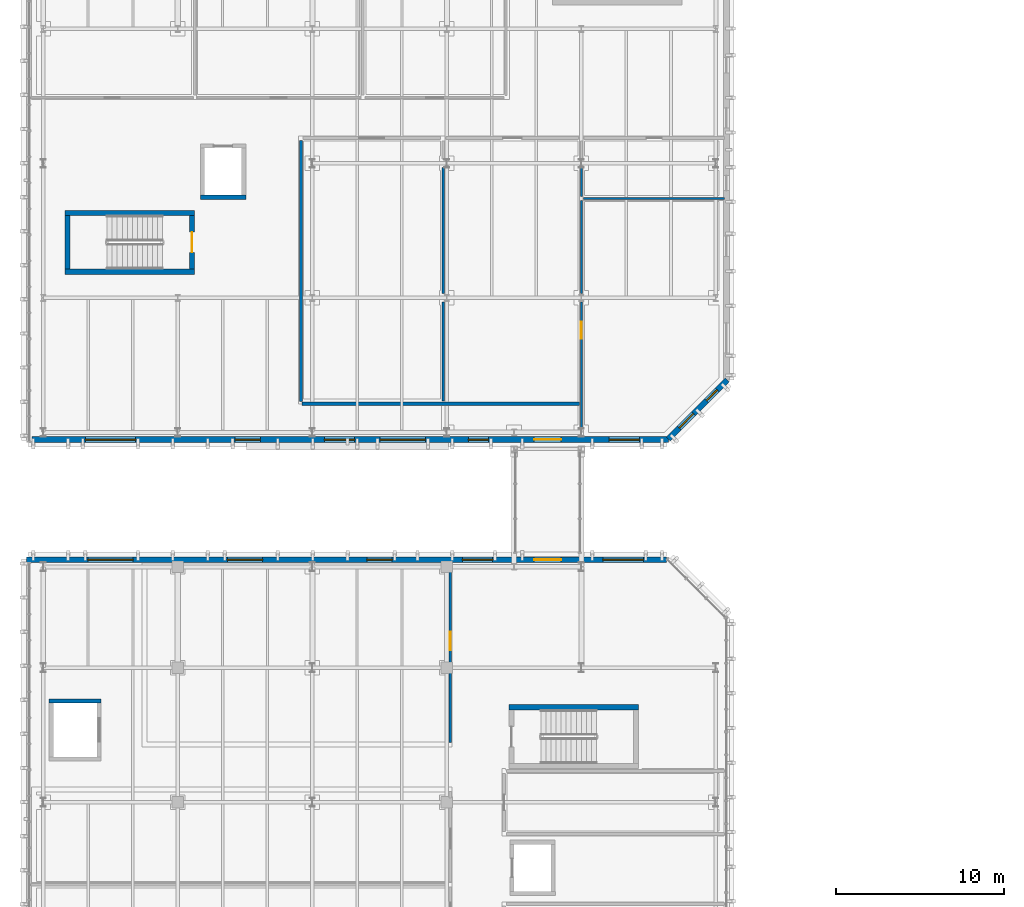
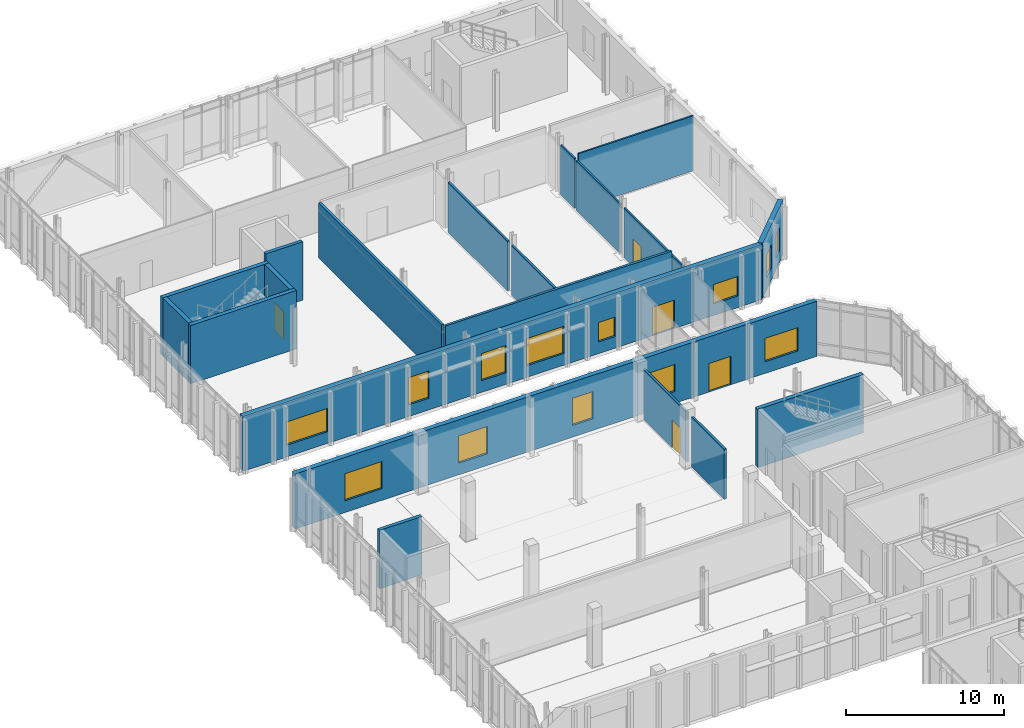
# One storey, part 70 of 100: 20 walls, 13 windows, 5 doors, 18 openings.
"""IFC4 building model written with IfcOpenShell, lengths in metres."""

from ifc_helpers import new_model, si_unit, direction, frame, frame_2d, origin, place, context, subcontext, project, spatial, rectangle, extrude, material, layer, layer_set, type_object, element, fill, save


model = new_model("IFC4")

# Units and contexts
model_context = context("Model", 3, precision=1e-05, world=origin(), true_north=direction((0.0, 1.0)))
body_context = subcontext(model_context, "Body", "Model", "MODEL_VIEW")
ifc_project = project(units=[si_unit("LENGTHUNIT", "METRE"), si_unit("AREAUNIT", "SQUARE_METRE"), si_unit("VOLUMEUNIT", "CUBIC_METRE"), si_unit("PLANEANGLEUNIT", "RADIAN"), si_unit("MASSUNIT", "GRAM", prefix="KILO")], contexts=[model_context])

# Site, building, storey
site_placement = place(None, origin())
site = spatial("IfcSite", under=ifc_project, at=site_placement, CompositionType="ELEMENT")
building_placement = place(site_placement, origin())
building = spatial("IfcBuilding", under=site, at=building_placement, Name="Cymarion Research Institute", CompositionType="ELEMENT")
storey_placement = place(building_placement, frame((0.0, 0.0, 4.800048828125)))
storey = spatial("IfcBuildingStorey", under=building, at=storey_placement, Name="L01", CompositionType="ELEMENT", Elevation=4.800048828125)

# Wall, openings, door, windows
ifc_material_1 = material(Name="Precast concrete C40/50", Category="concrete")
ifc_layer_1 = layer(ifc_material_1, 0.340087890625)
ifc_layer_set_1 = layer_set([ifc_layer_1], Name="Precast concrete C40/50")
wall_type_1 = type_object("IfcWallType", Name="EXTERIOR WALL EW-PC340 340MM", PredefinedType="SOLIDWALL", material=ifc_layer_set_1)
wall_1_placement = place(storey_placement, frame((43.67724609375, 77.929931640625, 0.0), z_axis=(0.0, 0.0, 1.0), x_axis=(-1.0, 0.0, 0.0)))
wall_1 = element("IfcWall", 1, at=wall_1_placement, inside=storey, type_object=wall_type_1, Name="L01 V4 exterior wall EW-PC340 #112", PredefinedType="SOLIDWALL", context=body_context, shape_type="SweptSolid", body=[
    extrude(rectangle(XDim=38.0771484375, YDim=0.340087890625, at=frame_2d((19.03857421875, 0.0))), origin(), (0.0, 0.0, 1.0), 4.25),
])
opening_1_placement = place(wall_1_placement, frame((6.277099609375, 0.0, 0.0)))
opening_1 = element("IfcOpeningElement", 2, at=opening_1_placement, cuts=wall_1, Name="Opening D-SP2-L01-S", PredefinedType="OPENING", context=body_context, shape_type="SweptSolid", body=[
    extrude(rectangle(XDim=1.60009765625, YDim=2.199951171875, at=frame_2d((0.800048828125, 1.10009765625))), frame((0.0, 0.179931640625, 0.0), z_axis=(0.0, -1.0, 0.0), x_axis=(1.0, 0.0, 0.0)), (0.0, 0.0, 1.0), 0.360107421875),
])
opening_2_placement = place(wall_1_placement, frame((1.388916015625, 0.0, 0.89990234375)))
opening_2 = element("IfcOpeningElement", 3, at=opening_2_placement, cuts=wall_1, Name="Opening W05", PredefinedType="OPENING", context=body_context, shape_type="SweptSolid", body=[
    extrude(rectangle(XDim=2.39990234375, YDim=1.800048828125, at=frame_2d((1.199951171875, 0.89990234375))), frame((0.0, 0.179931640625, 0.0), z_axis=(0.0, -1.0, 0.0), x_axis=(1.0, 0.0, 0.0)), (0.0, 0.0, 1.0), 0.360107421875),
])
opening_3_placement = place(wall_1_placement, frame((10.35693359375, 0.0, 0.89990234375)))
opening_3 = element("IfcOpeningElement", 4, at=opening_3_placement, cuts=wall_1, Name="Opening W10", PredefinedType="OPENING", context=body_context, shape_type="SweptSolid", body=[
    extrude(rectangle(XDim=1.800048828125, YDim=2.10009765625, at=frame_2d((0.89990234375, 1.050048828125))), frame((0.0, 0.179931640625, 0.0), z_axis=(0.0, -1.0, 0.0), x_axis=(1.0, 0.0, 0.0)), (0.0, 0.0, 1.0), 0.360107421875),
])
opening_4_placement = place(wall_1_placement, frame((16.326904296875, 0.0, 0.89990234375)))
opening_4 = element("IfcOpeningElement", 5, at=opening_4_placement, cuts=wall_1, Name="Opening W09", PredefinedType="OPENING", context=body_context, shape_type="SweptSolid", body=[
    extrude(rectangle(XDim=1.5, YDim=2.10009765625, at=frame_2d((0.75, 1.050048828125))), frame((0.0, 0.179931640625, 0.0), z_axis=(0.0, -1.0, 0.0), x_axis=(1.0, 0.0, 0.0)), (0.0, 0.0, 1.0), 0.360107421875),
])
opening_5_placement = place(wall_1_placement, frame((24.027099609375, 0.0, 0.89990234375)))
opening_5 = element("IfcOpeningElement", 6, at=opening_5_placement, cuts=wall_1, Name="Opening W11", PredefinedType="OPENING", context=body_context, shape_type="SweptSolid", body=[
    extrude(rectangle(XDim=2.10009765625, YDim=2.10009765625, at=frame_2d((1.050048828125, 1.050048828125))), frame((0.0, 0.179931640625, 0.0), z_axis=(0.0, -1.0, 0.0), x_axis=(1.0, 0.0, 0.0)), (0.0, 0.0, 1.0), 0.360107421875),
])
opening_6_placement = place(wall_1_placement, frame((31.72705078125, 0.0, 0.89990234375)))
opening_6 = element("IfcOpeningElement", 7, at=opening_6_placement, cuts=wall_1, Name="Opening W13", PredefinedType="OPENING", context=body_context, shape_type="SweptSolid", body=[
    extrude(rectangle(XDim=2.699951171875, YDim=2.10009765625, at=frame_2d((1.35009765625, 1.050048828125))), frame((0.0, 0.179931640625, 0.0), z_axis=(0.0, -1.0, 0.0), x_axis=(1.0, 0.0, 0.0)), (0.0, 0.0, 1.0), 0.360107421875),
])
ifc_material_2 = material(Name="Thermally broken anodised aluminium glazed door", Category="aluminium")
door_type_1 = type_object("IfcDoorType", Name="GLAZED ALUMINIUM TERRACE ACCESS DOOR DT-TR160 1600X2200", OperationType="NOTDEFINED", PredefinedType="DOOR", material=ifc_material_2)
door_1_placement = place(opening_1_placement, frame((1.60009765625, 0.0, 0.0), z_axis=(0.0, 0.0, 1.0), x_axis=(-1.0, 0.0, 0.0)))
door_1 = element("IfcDoor", 8, at=door_1_placement, inside=storey, type_object=door_type_1, Name="L01 V4 Sky-Passage Portal Door D-SP2-L01-S", OperationType="SINGLE_SWING_RIGHT", OverallHeight=2.199951171875, OverallWidth=1.60009765625, PredefinedType="DOOR", context=body_context, shape_type="SweptSolid", body=[
    extrude(rectangle(XDim=1.60009765625, YDim=2.199951171875, at=frame_2d((0.800048828125, 1.10009765625))), frame((0.0, 0.02490234375, 0.0), z_axis=(0.0, -1.0, 0.0), x_axis=(1.0, 0.0, 0.0)), (0.0, 0.0, 1.0), 0.050048828125),
])
fill(opening_1, door_1)
ifc_material_3 = material(Name="Thermally broken aluminium window with Low-E glazing", Category="aluminium")
window_type_1 = type_object("IfcWindowType", Name="THERMALLY BROKEN ALUMINIUM WINDOW W05 2400X1800", PartitioningType="TRIPLE_PANEL_VERTICAL", PredefinedType="WINDOW", material=ifc_material_3)
window_1_placement = place(opening_2_placement, origin())
window_1 = element("IfcWindow", 9, at=window_1_placement, inside=storey, type_object=window_type_1, Name="L01 V4 facade window W05 #204", OverallHeight=1.800048828125, OverallWidth=2.39990234375, PartitioningType="SINGLE_PANEL", PredefinedType="WINDOW", context=body_context, shape_type="SweptSolid", body=[
    extrude(rectangle(XDim=2.39990234375, YDim=1.800048828125, at=frame_2d((1.199951171875, 0.89990234375))), frame((0.0, 0.030029296875, 0.0), z_axis=(0.0, -1.0, 0.0), x_axis=(1.0, 0.0, 0.0)), (0.0, 0.0, 1.0), 0.06005859375),
])
fill(opening_2, window_1)
window_type_2 = type_object("IfcWindowType", Name="THERMALLY BROKEN ALUMINIUM WINDOW W09 1500X2100", PartitioningType="DOUBLE_PANEL_VERTICAL", PredefinedType="WINDOW", material=ifc_material_3)
window_2_placement = place(opening_4_placement, origin())
window_2 = element("IfcWindow", 10, at=window_2_placement, inside=storey, type_object=window_type_2, Name="L01 V4 facade window W09 #206", OverallHeight=2.10009765625, OverallWidth=1.5, PartitioningType="SINGLE_PANEL", PredefinedType="WINDOW", context=body_context, shape_type="SweptSolid", body=[
    extrude(rectangle(XDim=1.5, YDim=2.10009765625, at=frame_2d((0.75, 1.050048828125))), frame((0.0, 0.030029296875, 0.0), z_axis=(0.0, -1.0, 0.0), x_axis=(1.0, 0.0, 0.0)), (0.0, 0.0, 1.0), 0.06005859375),
])
fill(opening_4, window_2)
window_type_3 = type_object("IfcWindowType", Name="THERMALLY BROKEN ALUMINIUM WINDOW W10 1800X2100", PartitioningType="DOUBLE_PANEL_VERTICAL", PredefinedType="WINDOW", material=ifc_material_3)
window_3_placement = place(opening_3_placement, origin())
window_3 = element("IfcWindow", 11, at=window_3_placement, inside=storey, type_object=window_type_3, Name="L01 V4 facade window W10 #205", OverallHeight=2.10009765625, OverallWidth=1.800048828125, PartitioningType="SINGLE_PANEL", PredefinedType="WINDOW", context=body_context, shape_type="SweptSolid", body=[
    extrude(rectangle(XDim=1.800048828125, YDim=2.10009765625, at=frame_2d((0.89990234375, 1.050048828125))), frame((0.0, 0.030029296875, 0.0), z_axis=(0.0, -1.0, 0.0), x_axis=(1.0, 0.0, 0.0)), (0.0, 0.0, 1.0), 0.06005859375),
])
fill(opening_3, window_3)
window_type_4 = type_object("IfcWindowType", Name="THERMALLY BROKEN ALUMINIUM WINDOW W11 2100X2100", PartitioningType="DOUBLE_PANEL_VERTICAL", PredefinedType="WINDOW", material=ifc_material_3)
window_4_placement = place(opening_5_placement, origin())
window_4 = element("IfcWindow", 12, at=window_4_placement, inside=storey, type_object=window_type_4, Name="L01 V4 facade window W11 #207", OverallHeight=2.10009765625, OverallWidth=2.10009765625, PartitioningType="SINGLE_PANEL", PredefinedType="WINDOW", context=body_context, shape_type="SweptSolid", body=[
    extrude(rectangle(XDim=2.10009765625, YDim=2.10009765625, at=frame_2d((1.050048828125, 1.050048828125))), frame((0.0, 0.030029296875, 0.0), z_axis=(0.0, -1.0, 0.0), x_axis=(1.0, 0.0, 0.0)), (0.0, 0.0, 1.0), 0.06005859375),
])
fill(opening_5, window_4)
window_type_5 = type_object("IfcWindowType", Name="THERMALLY BROKEN ALUMINIUM WINDOW W13 2700X2100", PartitioningType="TRIPLE_PANEL_VERTICAL", PredefinedType="WINDOW", material=ifc_material_3)
window_5_placement = place(opening_6_placement, origin())
window_5 = element("IfcWindow", 13, at=window_5_placement, inside=storey, type_object=window_type_5, Name="L01 V4 facade window W13 #208", OverallHeight=2.10009765625, OverallWidth=2.699951171875, PartitioningType="SINGLE_PANEL", PredefinedType="WINDOW", context=body_context, shape_type="SweptSolid", body=[
    extrude(rectangle(XDim=2.699951171875, YDim=2.10009765625, at=frame_2d((1.35009765625, 1.050048828125))), frame((0.0, 0.030029296875, 0.0), z_axis=(0.0, -1.0, 0.0), x_axis=(1.0, 0.0, 0.0)), (0.0, 0.0, 1.0), 0.06005859375),
])
fill(opening_6, window_5)

wall_2_placement = place(storey_placement, frame((5.922119140625, 85.070068359375, 0.0), z_axis=(0.0, 0.0, 1.0), x_axis=(1.0, 0.0, 0.0)))
wall_2 = element("IfcWall", 14, at=wall_2_placement, inside=storey, type_object=wall_type_1, Name="L01 V5 exterior wall EW-PC340 #113", PredefinedType="SOLIDWALL", context=body_context, shape_type="SweptSolid", body=[
    extrude(rectangle(XDim=37.8779296875, YDim=0.340087890625, at=frame_2d((18.93896484375, 0.0))), origin(), (0.0, 0.0, 1.0), 4.25),
])
opening_7_placement = place(wall_2_placement, frame((29.8779296875, 0.0, 0.0)))
opening_7 = element("IfcOpeningElement", 15, at=opening_7_placement, cuts=wall_2, Name="Opening D-SP2-L01-N", PredefinedType="OPENING", context=body_context, shape_type="SweptSolid", body=[
    extrude(rectangle(XDim=1.60009765625, YDim=2.199951171875, at=frame_2d((0.800048828125, 1.10009765625))), frame((0.0, 0.179931640625, 0.0), z_axis=(0.0, -1.0, 0.0), x_axis=(1.0, 0.0, 0.0)), (0.0, 0.0, 1.0), 0.360107421875),
])
opening_8_placement = place(wall_2_placement, frame((3.177978515625, 0.0, 0.89990234375)))
opening_8 = element("IfcOpeningElement", 16, at=opening_8_placement, cuts=wall_2, Name="Opening W07", PredefinedType="OPENING", context=body_context, shape_type="SweptSolid", body=[
    extrude(rectangle(XDim=3.0, YDim=1.800048828125, at=frame_2d((1.5, 0.89990234375))), frame((0.0, 0.179931640625, 0.0), z_axis=(0.0, -1.0, 0.0), x_axis=(1.0, 0.0, 0.0)), (0.0, 0.0, 1.0), 0.360107421875),
])
opening_9_placement = place(wall_2_placement, frame((12.087890625, 0.0, 0.89990234375)))
opening_9 = element("IfcOpeningElement", 17, at=opening_9_placement, cuts=wall_2, Name="Opening W09", PredefinedType="OPENING", context=body_context, shape_type="SweptSolid", body=[
    extrude(rectangle(XDim=1.5, YDim=2.10009765625, at=frame_2d((0.75, 1.050048828125))), frame((0.0, 0.179931640625, 0.0), z_axis=(0.0, -1.0, 0.0), x_axis=(1.0, 0.0, 0.0)), (0.0, 0.0, 1.0), 0.360107421875),
])
opening_10_placement = place(wall_2_placement, frame((17.39794921875, 0.0, 0.89990234375)))
opening_10 = element("IfcOpeningElement", 18, at=opening_10_placement, cuts=wall_2, Name="Opening W10", PredefinedType="OPENING", context=body_context, shape_type="SweptSolid", body=[
    extrude(rectangle(XDim=1.800048828125, YDim=2.10009765625, at=frame_2d((0.89990234375, 1.050048828125))), frame((0.0, 0.179931640625, 0.0), z_axis=(0.0, -1.0, 0.0), x_axis=(1.0, 0.0, 0.0)), (0.0, 0.0, 1.0), 0.360107421875),
])
opening_11_placement = place(wall_2_placement, frame((20.7080078125, 0.0, 0.89990234375)))
opening_11 = element("IfcOpeningElement", 19, at=opening_11_placement, cuts=wall_2, Name="Opening W13", PredefinedType="OPENING", context=body_context, shape_type="SweptSolid", body=[
    extrude(rectangle(XDim=2.699951171875, YDim=2.10009765625, at=frame_2d((1.35009765625, 1.050048828125))), frame((0.0, 0.179931640625, 0.0), z_axis=(0.0, -1.0, 0.0), x_axis=(1.0, 0.0, 0.0)), (0.0, 0.0, 1.0), 0.360107421875),
])
opening_12_placement = place(wall_2_placement, frame((25.9580078125, 0.0, 0.89990234375)))
opening_12 = element("IfcOpeningElement", 20, at=opening_12_placement, cuts=wall_2, Name="Opening W15", PredefinedType="OPENING", context=body_context, shape_type="SweptSolid", body=[
    extrude(rectangle(XDim=1.199951171875, YDim=1.5, at=frame_2d((0.60009765625, 0.75))), frame((0.0, 0.179931640625, 0.0), z_axis=(0.0, -1.0, 0.0), x_axis=(1.0, 0.0, 0.0)), (0.0, 0.0, 1.0), 0.360107421875),
])
opening_13_placement = place(wall_2_placement, frame((34.327880859375, 0.0, 0.89990234375)))
opening_13 = element("IfcOpeningElement", 21, at=opening_13_placement, cuts=wall_2, Name="Opening W17", PredefinedType="OPENING", context=body_context, shape_type="SweptSolid", body=[
    extrude(rectangle(XDim=1.800048828125, YDim=1.5, at=frame_2d((0.89990234375, 0.75))), frame((0.0, 0.179931640625, 0.0), z_axis=(0.0, -1.0, 0.0), x_axis=(1.0, 0.0, 0.0)), (0.0, 0.0, 1.0), 0.360107421875),
])
door_2_placement = place(opening_7_placement, frame((1.60009765625, 0.0, 0.0), z_axis=(0.0, 0.0, 1.0), x_axis=(-1.0, 0.0, 0.0)))
door_2 = element("IfcDoor", 22, at=door_2_placement, inside=storey, type_object=door_type_1, Name="L01 V5 Sky-Passage Portal Door D-SP2-L01-N", OperationType="SINGLE_SWING_RIGHT", OverallHeight=2.199951171875, OverallWidth=1.60009765625, PredefinedType="DOOR", context=body_context, shape_type="SweptSolid", body=[
    extrude(rectangle(XDim=1.60009765625, YDim=2.199951171875, at=frame_2d((0.800048828125, 1.10009765625))), frame((0.0, 0.02490234375, 0.0), z_axis=(0.0, -1.0, 0.0), x_axis=(1.0, 0.0, 0.0)), (0.0, 0.0, 1.0), 0.050048828125),
])
fill(opening_7, door_2)
window_type_6 = type_object("IfcWindowType", Name="THERMALLY BROKEN ALUMINIUM WINDOW W07 3000X1800", PartitioningType="TRIPLE_PANEL_VERTICAL", PredefinedType="WINDOW", material=ifc_material_3)
window_6_placement = place(opening_8_placement, origin())
window_6 = element("IfcWindow", 23, at=window_6_placement, inside=storey, type_object=window_type_6, Name="L01 V5 facade window W07 #209", OverallHeight=1.800048828125, OverallWidth=3.0, PartitioningType="SINGLE_PANEL", PredefinedType="WINDOW", context=body_context, shape_type="SweptSolid", body=[
    extrude(rectangle(XDim=3.0, YDim=1.800048828125, at=frame_2d((1.5, 0.89990234375))), frame((0.0, 0.030029296875, 0.0), z_axis=(0.0, -1.0, 0.0), x_axis=(1.0, 0.0, 0.0)), (0.0, 0.0, 1.0), 0.06005859375),
])
fill(opening_8, window_6)
window_7_placement = place(opening_9_placement, origin())
window_7 = element("IfcWindow", 24, at=window_7_placement, inside=storey, type_object=window_type_2, Name="L01 V5 facade window W09 #210", OverallHeight=2.10009765625, OverallWidth=1.5, PartitioningType="SINGLE_PANEL", PredefinedType="WINDOW", context=body_context, shape_type="SweptSolid", body=[
    extrude(rectangle(XDim=1.5, YDim=2.10009765625, at=frame_2d((0.75, 1.050048828125))), frame((0.0, 0.030029296875, 0.0), z_axis=(0.0, -1.0, 0.0), x_axis=(1.0, 0.0, 0.0)), (0.0, 0.0, 1.0), 0.06005859375),
])
fill(opening_9, window_7)
window_8_placement = place(opening_10_placement, origin())
window_8 = element("IfcWindow", 25, at=window_8_placement, inside=storey, type_object=window_type_3, Name="L01 V5 facade window W10 #211", OverallHeight=2.10009765625, OverallWidth=1.800048828125, PartitioningType="SINGLE_PANEL", PredefinedType="WINDOW", context=body_context, shape_type="SweptSolid", body=[
    extrude(rectangle(XDim=1.800048828125, YDim=2.10009765625, at=frame_2d((0.89990234375, 1.050048828125))), frame((0.0, 0.030029296875, 0.0), z_axis=(0.0, -1.0, 0.0), x_axis=(1.0, 0.0, 0.0)), (0.0, 0.0, 1.0), 0.06005859375),
])
fill(opening_10, window_8)
window_9_placement = place(opening_11_placement, origin())
window_9 = element("IfcWindow", 26, at=window_9_placement, inside=storey, type_object=window_type_5, Name="L01 V5 facade window W13 #212", OverallHeight=2.10009765625, OverallWidth=2.699951171875, PartitioningType="SINGLE_PANEL", PredefinedType="WINDOW", context=body_context, shape_type="SweptSolid", body=[
    extrude(rectangle(XDim=2.699951171875, YDim=2.10009765625, at=frame_2d((1.35009765625, 1.050048828125))), frame((0.0, 0.030029296875, 0.0), z_axis=(0.0, -1.0, 0.0), x_axis=(1.0, 0.0, 0.0)), (0.0, 0.0, 1.0), 0.06005859375),
])
fill(opening_11, window_9)
window_type_7 = type_object("IfcWindowType", Name="THERMALLY BROKEN ALUMINIUM WINDOW W15 1200X1500", PartitioningType="SINGLE_PANEL", PredefinedType="WINDOW", material=ifc_material_3)
window_10_placement = place(opening_12_placement, origin())
window_10 = element("IfcWindow", 27, at=window_10_placement, inside=storey, type_object=window_type_7, Name="L01 V5 facade window W15 #213", OverallHeight=1.5, OverallWidth=1.199951171875, PartitioningType="SINGLE_PANEL", PredefinedType="WINDOW", context=body_context, shape_type="SweptSolid", body=[
    extrude(rectangle(XDim=1.199951171875, YDim=1.5, at=frame_2d((0.60009765625, 0.75))), frame((0.0, 0.030029296875, 0.0), z_axis=(0.0, -1.0, 0.0), x_axis=(1.0, 0.0, 0.0)), (0.0, 0.0, 1.0), 0.06005859375),
])
fill(opening_12, window_10)
window_type_8 = type_object("IfcWindowType", Name="THERMALLY BROKEN ALUMINIUM WINDOW W17 1800X1500", PartitioningType="DOUBLE_PANEL_HORIZONTAL", PredefinedType="WINDOW", material=ifc_material_3)
window_11_placement = place(opening_13_placement, origin())
window_11 = element("IfcWindow", 28, at=window_11_placement, inside=storey, type_object=window_type_8, Name="L01 V5 facade window W17 #214", OverallHeight=1.5, OverallWidth=1.800048828125, PartitioningType="SINGLE_PANEL", PredefinedType="WINDOW", context=body_context, shape_type="SweptSolid", body=[
    extrude(rectangle(XDim=1.800048828125, YDim=1.5, at=frame_2d((0.89990234375, 0.75))), frame((0.0, 0.030029296875, 0.0), z_axis=(0.0, -1.0, 0.0), x_axis=(1.0, 0.0, 0.0)), (0.0, 0.0, 1.0), 0.06005859375),
])
fill(opening_13, window_11)

# Wall, openings, windows
wall_3_placement = place(storey_placement, frame((43.7666015625, 85.107177734375, 0.0), z_axis=(0.0, 0.0, 1.0), x_axis=(0.707131350994, 0.707082210525, 0.0)))
wall_3 = element("IfcWall", 29, at=wall_3_placement, inside=storey, type_object=wall_type_1, Name="L01 V5 exterior wall EW-PC340 #114", PredefinedType="SOLIDWALL", context=body_context, shape_type="SweptSolid", body=[
    extrude(rectangle(XDim=4.96826171875, YDim=0.340087890625, at=frame_2d((2.484130859375, 0.0))), origin(), (0.0, 0.0, 1.0), 4.25),
])
opening_14_placement = place(wall_3_placement, frame((0.930908203125, 0.0, 0.89990234375)))
opening_14 = element("IfcOpeningElement", 30, at=opening_14_placement, cuts=wall_3, Name="Opening W01", PredefinedType="OPENING", context=body_context, shape_type="SweptSolid", body=[
    extrude(rectangle(XDim=1.199951171875, YDim=1.800048828125, at=frame_2d((0.60009765625, 0.89990234375))), frame((0.0, 0.179931640625, 0.0), z_axis=(0.0, -1.0, 0.0), x_axis=(1.0, 0.0, 0.0)), (0.0, 0.0, 1.0), 0.360107421875),
])
opening_15_placement = place(wall_3_placement, frame((3.22509765625, 0.0, 0.89990234375)))
opening_15 = element("IfcOpeningElement", 31, at=opening_15_placement, cuts=wall_3, Name="Opening W24", PredefinedType="OPENING", context=body_context, shape_type="SweptSolid", body=[
    extrude(rectangle(XDim=0.89990234375, YDim=1.800048828125, at=frame_2d((0.449951171875, 0.89990234375))), frame((0.0, 0.179931640625, 0.0), z_axis=(0.0, -1.0, 0.0), x_axis=(1.0, 0.0, 0.0)), (0.0, 0.0, 1.0), 0.360107421875),
])
window_type_9 = type_object("IfcWindowType", Name="THERMALLY BROKEN ALUMINIUM WINDOW W01 1200X1800", PartitioningType="SINGLE_PANEL", PredefinedType="WINDOW", material=ifc_material_3)
window_12_placement = place(opening_14_placement, origin())
window_12 = element("IfcWindow", 32, at=window_12_placement, inside=storey, type_object=window_type_9, Name="L01 V5 facade window W01 #215", OverallHeight=1.800048828125, OverallWidth=1.199951171875, PartitioningType="SINGLE_PANEL", PredefinedType="WINDOW", context=body_context, shape_type="SweptSolid", body=[
    extrude(rectangle(XDim=1.199951171875, YDim=1.800048828125, at=frame_2d((0.60009765625, 0.89990234375))), frame((0.0, 0.030029296875, 0.0), z_axis=(0.0, -1.0, 0.0), x_axis=(1.0, 0.0, 0.0)), (0.0, 0.0, 1.0), 0.06005859375),
])
fill(opening_14, window_12)
window_type_10 = type_object("IfcWindowType", Name="THERMALLY BROKEN ALUMINIUM WINDOW W24 900X1800", PartitioningType="SINGLE_PANEL", PredefinedType="WINDOW", material=ifc_material_3)
window_13_placement = place(opening_15_placement, origin())
window_13 = element("IfcWindow", 33, at=window_13_placement, inside=storey, type_object=window_type_10, Name="L01 V5 facade window W24 #216", OverallHeight=1.800048828125, OverallWidth=0.89990234375, PartitioningType="SINGLE_PANEL", PredefinedType="WINDOW", context=body_context, shape_type="SweptSolid", body=[
    extrude(rectangle(XDim=0.89990234375, YDim=1.800048828125, at=frame_2d((0.449951171875, 0.89990234375))), frame((0.0, 0.030029296875, 0.0), z_axis=(0.0, -1.0, 0.0), x_axis=(1.0, 0.0, 0.0)), (0.0, 0.0, 1.0), 0.06005859375),
])
fill(opening_15, window_13)

# Walls
ifc_material_4 = material(Name="Gypsum acoustic double-stud partition", Category="gypsum")
ifc_layer_2 = layer(ifc_material_4, 0.14990234375)
ifc_layer_set_2 = layer_set([ifc_layer_2], Name="Gypsum acoustic double-stud partition")
wall_type_2 = type_object("IfcWallType", Name="INTERIOR PARTITION IW-AC150 150MM", PredefinedType="PARTITIONING", material=ifc_layer_set_2)
wall_4_placement = place(storey_placement, frame((30.39990234375, 87.360107421875, 0.0), z_axis=(0.0, 0.0, 1.0), x_axis=(0.0, 1.0, 0.0)))
element("IfcWall", 34, at=wall_4_placement, inside=storey, type_object=wall_type_2, Name="L01 V5 interior partition IW-AC150 #148", PredefinedType="PARTITIONING", context=body_context, shape_type="SweptSolid", body=[
    extrude(rectangle(XDim=5.889892578125, YDim=0.14990234375, at=frame_2d((2.94482421875, 0.0))), origin(), (0.0, 0.0, 1.0), 3.849853515625),
])
wall_5_placement = place(storey_placement, frame((30.39990234375, 93.75, 0.0), z_axis=(0.0, 0.0, 1.0), x_axis=(0.0, 1.0, 0.0)))
element("IfcWall", 35, at=wall_5_placement, inside=storey, type_object=wall_type_2, Name="L01 V5 interior partition IW-AC150 #149", PredefinedType="PARTITIONING", context=body_context, shape_type="SweptSolid", body=[
    extrude(rectangle(XDim=7.5, YDim=0.14990234375, at=frame_2d((3.75, 0.0))), origin(), (0.0, 0.0, 1.0), 3.849853515625),
])
ifc_material_5 = material(Name="ISO cleanroom modular flush panel wall", Category="metal")
ifc_layer_3 = layer(ifc_material_5, 0.159912109375)
ifc_layer_set_3 = layer_set([ifc_layer_3], Name="ISO cleanroom modular flush panel wall")
wall_type_3 = type_object("IfcWallType", Name="INTERIOR PARTITION IW-CL160 160MM", PredefinedType="PARTITIONING", material=ifc_layer_set_3)
wall_6_placement = place(storey_placement, frame((30.800048828125, 67.050048828125, 0.0), z_axis=(0.0, 0.0, 1.0), x_axis=(0.0, 1.0, 0.0)))
element("IfcWall", 36, at=wall_6_placement, inside=storey, type_object=wall_type_3, Name="L01 V4 interior partition IW-CL160 #138", PredefinedType="PARTITIONING", context=body_context, shape_type="SweptSolid", body=[
    extrude(rectangle(XDim=4.199951171875, YDim=0.159912109375, at=frame_2d((2.10009765625, 0.0))), origin(), (0.0, 0.0, 1.0), 3.849853515625),
])

# Wall, opening, door
wall_7_placement = place(storey_placement, frame((30.800048828125, 71.75, 0.0), z_axis=(0.0, 0.0, 1.0), x_axis=(0.0, 1.0, 0.0)))
wall_7 = element("IfcWall", 37, at=wall_7_placement, inside=storey, type_object=wall_type_3, Name="L01 V4 interior partition IW-CL160 #139", PredefinedType="PARTITIONING", context=body_context, shape_type="SweptSolid", body=[
    extrude(rectangle(XDim=5.5, YDim=0.159912109375, at=frame_2d((2.75, 0.0))), origin(), (0.0, 0.0, 1.0), 3.849853515625),
])
opening_16_placement = place(wall_7_placement, frame((0.7919921875, 0.0, 0.0)))
opening_16 = element("IfcOpeningElement", 38, at=opening_16_placement, cuts=wall_7, Name="Opening D-L01-096", PredefinedType="OPENING", context=body_context, shape_type="SweptSolid", body=[
    extrude(rectangle(XDim=1.10009765625, YDim=2.14990234375, at=frame_2d((0.550048828125, 1.074951171875))), frame((0.0, 0.08984375, 0.0), z_axis=(0.0, -1.0, 0.0), x_axis=(1.0, 0.0, 0.0)), (0.0, 0.0, 1.0), 0.179931640625),
])
ifc_material_6 = material(Name="Flush acoustic timber/steel door assembly", Category="steel")
door_type_2 = type_object("IfcDoorType", Name="LABORATORY WIDE SINGLE DOOR DT-LB110 1100X2150", OperationType="NOTDEFINED", PredefinedType="DOOR", material=ifc_material_6)
door_3_placement = place(opening_16_placement, origin())
door_3 = element("IfcDoor", 39, at=door_3_placement, inside=storey, type_object=door_type_2, Name="L01 Metrology Lab door D-L01-096", OperationType="SINGLE_SWING_LEFT", OverallHeight=2.14990234375, OverallWidth=1.10009765625, PredefinedType="DOOR", context=body_context, shape_type="SweptSolid", body=[
    extrude(rectangle(XDim=1.10009765625, YDim=2.14990234375, at=frame_2d((0.550048828125, 1.074951171875))), frame((0.0, 0.02490234375, 0.0), z_axis=(0.0, -1.0, 0.0), x_axis=(1.0, 0.0, 0.0)), (0.0, 0.0, 1.0), 0.050048828125),
])
fill(opening_16, door_3)

# Walls
ifc_material_7 = material(Name="Moisture-resistant laboratory partition", Category="gypsum")
ifc_layer_4 = layer(ifc_material_7, 0.179931640625)
ifc_layer_set_4 = layer_set([ifc_layer_4], Name="Moisture-resistant laboratory partition")
wall_type_4 = type_object("IfcWallType", Name="INTERIOR PARTITION IW-LB180 180MM", PredefinedType="PARTITIONING", material=ifc_layer_set_4)
wall_8_placement = place(storey_placement, frame((21.919921875, 87.340087890625, 0.0), z_axis=(0.0, 0.0, 1.0), x_axis=(0.0, 1.0, 0.0)))
element("IfcWall", 40, at=wall_8_placement, inside=storey, type_object=wall_type_4, Name="L01 V5 interior partition IW-LB180 #146", PredefinedType="PARTITIONING", context=body_context, shape_type="SweptSolid", body=[
    extrude(rectangle(XDim=15.52001953125, YDim=0.179931640625, at=frame_2d((7.760009765625, 0.0))), origin(), (0.0, 0.0, 1.0), 4.25),
])
wall_9_placement = place(storey_placement, frame((22.0, 87.199951171875, 0.0), z_axis=(0.0, 0.0, 1.0), x_axis=(1.0, 0.0, 0.0)))
element("IfcWall", 41, at=wall_9_placement, inside=storey, type_object=wall_type_4, Name="L01 V5 interior partition IW-LB180 #147", PredefinedType="PARTITIONING", context=body_context, shape_type="SweptSolid", body=[
    extrude(rectangle(XDim=16.47998046875, YDim=0.179931640625, at=frame_2d((8.239990234375, 0.0))), origin(), (0.0, 0.0, 1.0), 4.25),
])
ifc_material_8 = material(Name="Service riser shaft wall", Category="gypsum")
ifc_layer_5 = layer(ifc_material_8, 0.1201171875)
ifc_layer_set_5 = layer_set([ifc_layer_5], Name="Service riser shaft wall")
wall_type_5 = type_object("IfcWallType", Name="INTERIOR PARTITION IW-SH120 120MM", PredefinedType="PARTITIONING", material=ifc_layer_set_5)
wall_10_placement = place(storey_placement, frame((38.739990234375, 99.39990234375, 0.0), z_axis=(0.0, 0.0, 1.0), x_axis=(1.0, 0.0, 0.0)))
element("IfcWall", 42, at=wall_10_placement, inside=storey, type_object=wall_type_5, Name="L01 V5 interior partition IW-SH120 #151", PredefinedType="PARTITIONING", context=body_context, shape_type="SweptSolid", body=[
    extrude(rectangle(XDim=8.375, YDim=0.1201171875, at=frame_2d((4.1875, 0.0))), origin(), (0.0, 0.0, 1.0), 4.25),
])

# Wall, opening, door
wall_11_placement = place(storey_placement, frame((38.60009765625, 85.75, 0.0), z_axis=(0.0, 0.0, 1.0), x_axis=(0.0, 1.0, 0.0)))
wall_11 = element("IfcWall", 43, at=wall_11_placement, inside=storey, type_object=wall_type_5, Name="L01 V5 interior partition IW-SH120 #152", PredefinedType="PARTITIONING", context=body_context, shape_type="SweptSolid", body=[
    extrude(rectangle(XDim=7.5, YDim=0.1201171875, at=frame_2d((3.75, 0.0))), origin(), (0.0, 0.0, 1.0), 3.849853515625),
])
opening_17_placement = place(wall_11_placement, frame((5.330078125, 0.0, 0.0)))
opening_17 = element("IfcOpeningElement", 44, at=opening_17_placement, cuts=wall_11, Name="Opening D-L01-099", PredefinedType="OPENING", context=body_context, shape_type="SweptSolid", body=[
    extrude(rectangle(XDim=1.0, YDim=2.14990234375, at=frame_2d((0.5, 1.074951171875))), frame((0.0, 0.070068359375, 0.0), z_axis=(0.0, -1.0, 0.0), x_axis=(1.0, 0.0, 0.0)), (0.0, 0.0, 1.0), 0.14013671875),
])
door_type_3 = type_object("IfcDoorType", Name="LABORATORY SINGLE LEAF DOOR DT-LB100 1000X2150", OperationType="NOTDEFINED", PredefinedType="DOOR", material=ifc_material_6)
door_4_placement = place(opening_17_placement, origin())
door_4 = element("IfcDoor", 45, at=door_4_placement, inside=storey, type_object=door_type_3, Name="L01 Tape Archive door D-L01-099", OperationType="SINGLE_SWING_RIGHT", OverallHeight=2.14990234375, OverallWidth=1.0, PredefinedType="DOOR", context=body_context, shape_type="SweptSolid", body=[
    extrude(rectangle(XDim=1.0, YDim=2.14990234375, at=frame_2d((0.5, 1.074951171875))), frame((0.0, 0.02490234375, 0.0), z_axis=(0.0, -1.0, 0.0), x_axis=(1.0, 0.0, 0.0)), (0.0, 0.0, 1.0), 0.050048828125),
])
fill(opening_17, door_4)

# Walls
wall_12_placement = place(storey_placement, frame((38.60009765625, 93.75, 0.0), z_axis=(0.0, 0.0, 1.0), x_axis=(0.0, 1.0, 0.0)))
element("IfcWall", 46, at=wall_12_placement, inside=storey, type_object=wall_type_5, Name="L01 V5 interior partition IW-SH120 #153", PredefinedType="PARTITIONING", context=body_context, shape_type="SweptSolid", body=[
    extrude(rectangle(XDim=5.530029296875, YDim=0.1201171875, at=frame_2d((2.76513671875, 0.0))), origin(), (0.0, 0.0, 1.0), 3.849853515625),
])
wall_13_placement = place(storey_placement, frame((38.60009765625, 99.52001953125, 0.0), z_axis=(0.0, 0.0, 1.0), x_axis=(0.0, 1.0, 0.0)))
element("IfcWall", 47, at=wall_13_placement, inside=storey, type_object=wall_type_5, Name="L01 V5 interior partition IW-SH120 #154", PredefinedType="PARTITIONING", context=body_context, shape_type="SweptSolid", body=[
    extrude(rectangle(XDim=1.72998046875, YDim=0.1201171875, at=frame_2d((0.864990234375, 0.0))), origin(), (0.0, 0.0, 1.0), 3.849853515625),
])
ifc_material_9 = material(Name="Concrete C40/50", Category="concrete")
ifc_layer_6 = layer(ifc_material_9, 0.25)
ifc_layer_set_6 = layer_set([ifc_layer_6], Name="Concrete C40/50")
wall_type_6 = type_object("IfcWallType", Name="REINFORCED CONCRETE CORE WALL CW-SH250 250MM", PredefinedType="SHEAR", material=ifc_layer_set_6)
wall_14_placement = place(storey_placement, frame((15.949951171875, 99.47509765625, 0.0), z_axis=(0.0, 0.0, 1.0), x_axis=(1.0, 0.0, 0.0)))
element("IfcWall", 48, at=wall_14_placement, inside=storey, type_object=wall_type_6, Name="L01 LSH-LP5-L01 south core wall", PredefinedType="SHEAR", context=body_context, shape_type="SweptSolid", body=[
    extrude(rectangle(XDim=2.699951171875, YDim=0.25, at=frame_2d((1.35009765625, 0.0))), origin(), (0.0, 0.0, 1.0), 4.5),
])
wall_15_placement = place(storey_placement, frame((10.050048828125, 69.52490234375, 0.0), z_axis=(0.0, 0.0, 1.0), x_axis=(-1.0, 0.0, 0.0)))
element("IfcWall", 49, at=wall_15_placement, inside=storey, type_object=wall_type_6, Name="L01 LSH-LG1-L01 north core wall", PredefinedType="SHEAR", context=body_context, shape_type="SweptSolid", body=[
    extrude(rectangle(XDim=3.10009765625, YDim=0.25, at=frame_2d((1.550048828125, 0.0))), origin(), (0.0, 0.0, 1.0), 4.5),
])
ifc_layer_7 = layer(ifc_material_9, 0.300048828125)
ifc_layer_set_7 = layer_set([ifc_layer_7], Name="Concrete C40/50")
wall_type_7 = type_object("IfcWallType", Name="REINFORCED CONCRETE CORE WALL CW-SH300 300MM", PredefinedType="SHEAR", material=ifc_layer_set_7)
wall_16_placement = place(storey_placement, frame((42.0, 69.14990234375, 0.0), z_axis=(0.0, 0.0, 1.0), x_axis=(-1.0, 0.0, 0.0)))
element("IfcWall", 50, at=wall_16_placement, inside=storey, type_object=wall_type_7, Name="L01 SHW-C8-L01 north core wall", PredefinedType="SHEAR", context=body_context, shape_type="SweptSolid", body=[
    extrude(rectangle(XDim=7.699951171875, YDim=0.300048828125, at=frame_2d((3.85009765625, 0.0))), origin(), (0.0, 0.0, 1.0), 4.5),
])
for number, where, z_axis, x_axis, name in (
    (51, (7.89990234375, 95.050048828125, 0.0), (0.0, 0.0, 1.0), (1.0, 0.0, 0.0), "L01 SHW-C9-L01 south core wall"),
    (52, (15.60009765625, 98.550048828125, 0.0), (0.0, 0.0, 1.0), (-1.0, 0.0, 0.0), "L01 SHW-C9-L01 north core wall"),
):
    element("IfcWall", number, at=place(storey_placement, frame(where, z_axis=z_axis, x_axis=x_axis)), inside=storey, type_object=wall_type_7, Name=name, PredefinedType="SHEAR", context=body_context, shape_type="SweptSolid", body=[
        extrude(rectangle(XDim=7.7001953125, YDim=0.300048828125, at=frame_2d((3.85009765625, 0.0))), origin(), (0.0, 0.0, 1.0), 4.5),
    ])
wall_17_placement = place(storey_placement, frame((8.050048828125, 98.39990234375, 0.0), z_axis=(0.0, 0.0, 1.0), x_axis=(0.0, -1.0, 0.0)))
element("IfcWall", 53, at=wall_17_placement, inside=storey, type_object=wall_type_7, Name="L01 SHW-C9-L01 west core wall", PredefinedType="SHEAR", context=body_context, shape_type="SweptSolid", body=[
    extrude(rectangle(XDim=3.199951171875, YDim=0.300048828125, at=frame_2d((1.60009765625, 0.0))), origin(), (0.0, 0.0, 1.0), 4.5),
])

# Wall, opening, door
wall_18_placement = place(storey_placement, frame((15.449951171875, 95.199951171875, 0.0), z_axis=(0.0, 0.0, 1.0), x_axis=(0.0, 1.0, 0.0)))
wall_18 = element("IfcWall", 54, at=wall_18_placement, inside=storey, type_object=wall_type_7, Name="L01 SHW-C9-L01 east core wall", PredefinedType="SHEAR", context=body_context, shape_type="SweptSolid", body=[
    extrude(rectangle(XDim=3.199951171875, YDim=0.300048828125, at=frame_2d((1.60009765625, 0.0))), origin(), (0.0, 0.0, 1.0), 4.5),
])
opening_18_placement = place(wall_18_placement, frame((1.0, 0.0, 0.0)))
opening_18 = element("IfcOpeningElement", 55, at=opening_18_placement, cuts=wall_18, Name="Opening FD-L01-ST9", PredefinedType="OPENING", context=body_context, shape_type="SweptSolid", body=[
    extrude(rectangle(XDim=1.199951171875, YDim=2.14990234375, at=frame_2d((0.60009765625, 1.074951171875))), frame((0.0, 0.159912109375, 0.0), z_axis=(0.0, -1.0, 0.0), x_axis=(1.0, 0.0, 0.0)), (0.0, 0.0, 1.0), 0.320068359375),
])
ifc_material_10 = material(Name="Fire-rated insulated steel door assembly", Category="steel")
door_type_4 = type_object("IfcDoorType", Name="SMOKE PROOF STAIR FIRE DOOR DT-ST120 1200X2150", OperationType="NOTDEFINED", PredefinedType="DOOR", material=ifc_material_10)
door_5_placement = place(opening_18_placement, origin())
door_5 = element("IfcDoor", 56, at=door_5_placement, inside=storey, type_object=door_type_4, Name="L01 ST9 smoke-proof stair door FD-L01-ST9", OperationType="SINGLE_SWING_LEFT", OverallHeight=2.14990234375, OverallWidth=1.199951171875, PredefinedType="DOOR", context=body_context, shape_type="SweptSolid", body=[
    extrude(rectangle(XDim=1.199951171875, YDim=2.14990234375, at=frame_2d((0.60009765625, 1.074951171875))), frame((0.0, 0.02490234375, 0.0), z_axis=(0.0, -1.0, 0.0), x_axis=(1.0, 0.0, 0.0)), (0.0, 0.0, 1.0), 0.050048828125),
])
fill(opening_18, door_5)

save(model, "model.ifc")
